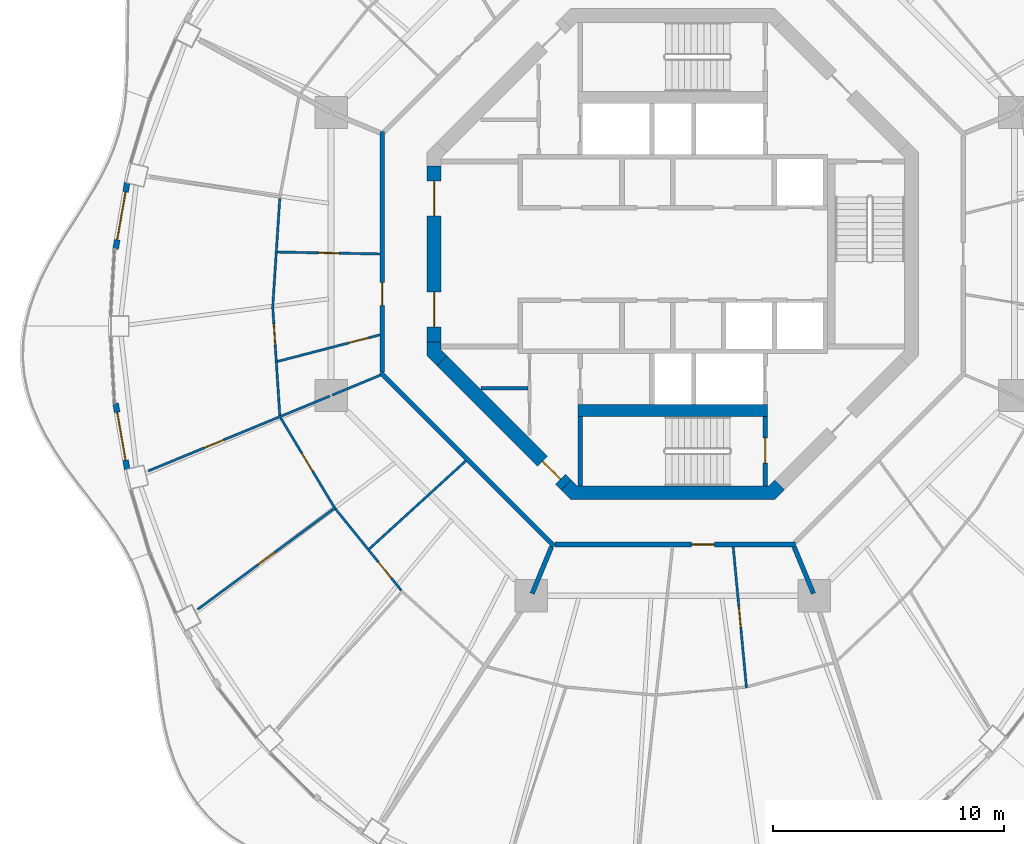
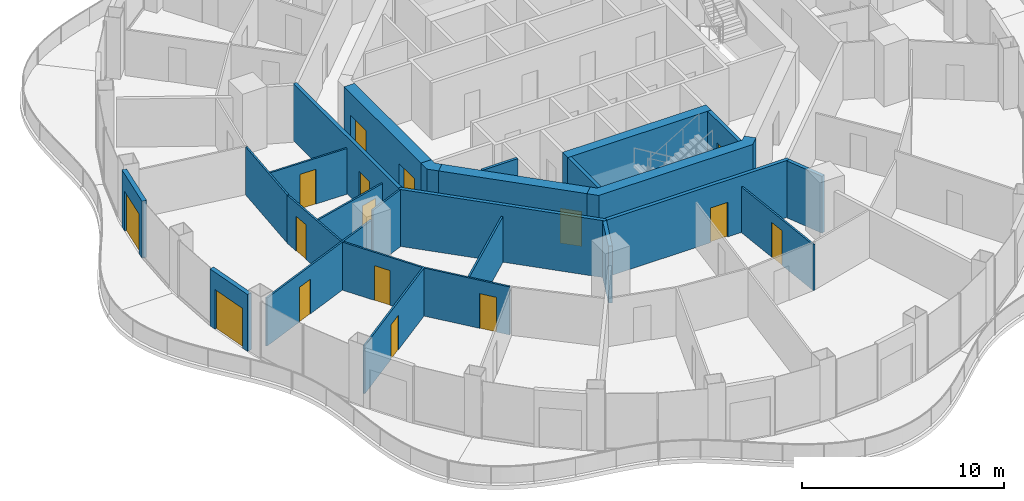
# One storey, part 10 of 17: 26 walls, 16 doors, 16 openings.
"""IFC4 building model written with IfcOpenShell, lengths in metres."""

from ifc_helpers import new_model, si_unit, direction, frame, frame_2d, origin, place, context, subcontext, project, spatial, polyline, rectangle, outline, extrude, material, layer, layer_set, type_object, element, fill, save


model = new_model("IFC4")

# Units and contexts
model_context = context("Model", 3, precision=1e-05, world=origin(), true_north=direction((0.0, 1.0)))
body_context = subcontext(model_context, "Body", "Model", "MODEL_VIEW")
ifc_project = project(units=[si_unit("LENGTHUNIT", "METRE"), si_unit("AREAUNIT", "SQUARE_METRE"), si_unit("VOLUMEUNIT", "CUBIC_METRE"), si_unit("PLANEANGLEUNIT", "RADIAN"), si_unit("MASSUNIT", "GRAM", prefix="KILO")], contexts=[model_context])

# Site, building, storey
site_placement = place(None, origin())
site = spatial("IfcSite", under=ifc_project, at=site_placement, CompositionType="ELEMENT")
building_placement = place(site_placement, origin())
building = spatial("IfcBuilding", under=site, at=building_placement, Name="Nagisa Residences", CompositionType="ELEMENT")
storey_placement = place(building_placement, frame((0.0, 0.0, 277.0)))
storey = spatial("IfcBuildingStorey", under=building, at=storey_placement, Name="L70", CompositionType="ELEMENT", Elevation=277.0)

# Walls
ifc_material_1 = material(Name="Gypsum board on steel studs", Category="steel")
ifc_layer_1 = layer(ifc_material_1, 0.199951171875)
ifc_layer_set_1 = layer_set([ifc_layer_1], Name="Apartment compartment wall EI60 200")
wall_type_1 = type_object("IfcWallType", Name="Apartment compartment wall EI60 200", PredefinedType="PARTITIONING", material=ifc_layer_set_1)
wall_1_placement = place(storey_placement, frame((-5.24267578125, -12.6572265625, 0.0), z_axis=(0.0, 0.0, 1.0), x_axis=(-0.382770106157, -0.923843626288, 0.0)))
element("IfcWall", 1, at=wall_1_placement, inside=storey, type_object=wall_type_1, Name="wall:L70:u06", PredefinedType="PARTITIONING", context=body_context, shape_type="SweptSolid", body=[
    extrude(rectangle(XDim=2.19921875, YDim=0.199951171875, at=frame_2d((1.099609375, 0.0))), origin(), (0.0, 0.0, 1.0), 3.43994140625),
])
wall_2_placement = place(storey_placement, frame((5.24267578125, -12.6572265625, 0.0), z_axis=(0.0, 0.0, 1.0), x_axis=(0.382707856524, -0.923869415315, 0.0)))
element("IfcWall", 2, at=wall_2_placement, inside=storey, type_object=wall_type_1, Name="wall:L70:u08", PredefinedType="PARTITIONING", context=body_context, shape_type="SweptSolid", body=[
    extrude(rectangle(XDim=2.2001953125, YDim=0.199951171875, at=frame_2d((1.10009765625, 0.0))), origin(), (0.0, 0.0, 1.0), 3.43994140625),
])

# Wall, opening, door
ifc_material_2 = material(Name="Gypsum board on steel studs", Category="steel")
ifc_layer_2 = layer(ifc_material_2, 0.199951171875)
ifc_layer_set_2 = layer_set([ifc_layer_2], Name="Apartment entry wall EI60 200")
wall_type_2 = type_object("IfcWallType", Name="Apartment entry wall EI60 200", PredefinedType="PARTITIONING", material=ifc_layer_set_2)
wall_3_placement = place(storey_placement, frame((-12.564697265625, 5.304443359375, 0.0), z_axis=(0.0, 0.0, 1.0), x_axis=(0.0, -1.0, 0.0)))
wall_3 = element("IfcWall", 3, at=wall_3_placement, inside=storey, type_object=wall_type_2, Name="wall:L70:u14", PredefinedType="PARTITIONING", context=body_context, shape_type="SweptSolid", body=[
    extrude(rectangle(XDim=10.408935546875, YDim=0.199951171875, at=frame_2d((5.20458984375, 0.0))), origin(), (0.0, 0.0, 1.0), 3.43994140625),
])
opening_1_placement = place(wall_3_placement, frame((6.539306640625, 0.0, 0.0)))
opening_1 = element("IfcOpeningElement", 4, at=opening_1_placement, cuts=wall_3, Name="Opening L70-U15", PredefinedType="OPENING", context=body_context, shape_type="SweptSolid", body=[
    extrude(rectangle(XDim=1.0, YDim=2.10009765625, at=frame_2d((0.5, 1.050048828125))), frame((0.0, 0.10986328125, 0.0), z_axis=(0.0, -1.0, 0.0), x_axis=(1.0, 0.0, 0.0)), (0.0, 0.0, 1.0), 0.219970703125),
])
ifc_material_3 = material(Name="Timber fire door set", Category="wood")
door_type_1 = type_object("IfcDoorType", Name="Apartment entry door FD30S 1000x2100", OperationType="NOTDEFINED", PredefinedType="DOOR", material=ifc_material_3)
door_1_placement = place(opening_1_placement, frame((1.0, 0.0, 0.0), x_axis=(-1.0, 0.0, 0.0)))
door_1 = element("IfcDoor", 5, at=door_1_placement, inside=storey, type_object=door_type_1, Name="Entry door, Apartment 70C", OperationType="SINGLE_SWING_RIGHT", OverallHeight=2.10009765625, OverallWidth=1.0, PredefinedType="DOOR", context=body_context, shape_type="SweptSolid", body=[
    extrude(rectangle(XDim=1.0, YDim=2.10009765625, at=frame_2d((0.5, 1.050048828125))), frame((0.0, 0.02490234375, 0.0), z_axis=(0.0, -1.0, 0.0), x_axis=(1.0, 0.0, 0.0)), (0.0, 0.0, 1.0), 0.050048828125),
])
fill(opening_1, door_1)

# Wall
wall_4_placement = place(storey_placement, frame((-12.635498046875, -5.1337890625, 0.0), z_axis=(0.0, 0.0, 1.0), x_axis=(0.707106781187, -0.707106781187, 0.0)))
element("IfcWall", 6, at=wall_4_placement, inside=storey, type_object=wall_type_2, Name="wall:L70:u15", PredefinedType="PARTITIONING", context=body_context, shape_type="SweptSolid", body=[
    extrude(rectangle(XDim=10.609130859375, YDim=0.199951171875, at=frame_2d((5.3046875, 0.0))), origin(), (0.0, 0.0, 1.0), 3.43994140625),
])

# Wall, opening, door
wall_5_placement = place(storey_placement, frame((-5.1044921875, -12.564697265625, 0.0), z_axis=(0.0, 0.0, 1.0), x_axis=(1.0, 0.0, 0.0)))
wall_5 = element("IfcWall", 7, at=wall_5_placement, inside=storey, type_object=wall_type_2, Name="wall:L70:u16", PredefinedType="PARTITIONING", context=body_context, shape_type="SweptSolid", body=[
    extrude(rectangle(XDim=10.408935546875, YDim=0.199951171875, at=frame_2d((5.20458984375, 0.0))), origin(), (0.0, 0.0, 1.0), 3.43994140625),
])
opening_2_placement = place(wall_5_placement, frame((5.905517578125, 0.0, 0.0)))
opening_2 = element("IfcOpeningElement", 8, at=opening_2_placement, cuts=wall_5, Name="Opening L70-U25", PredefinedType="OPENING", context=body_context, shape_type="SweptSolid", body=[
    extrude(rectangle(XDim=1.0, YDim=2.10009765625, at=frame_2d((0.5, 1.050048828125))), frame((0.0, 0.10986328125, 0.0), z_axis=(0.0, -1.0, 0.0), x_axis=(1.0, 0.0, 0.0)), (0.0, 0.0, 1.0), 0.219970703125),
])
door_2_placement = place(opening_2_placement, frame((1.0, 0.0, 0.0), x_axis=(-1.0, 0.0, 0.0)))
door_2 = element("IfcDoor", 9, at=door_2_placement, inside=storey, type_object=door_type_1, Name="Entry door, Apartment 70D", OperationType="SINGLE_SWING_RIGHT", OverallHeight=2.10009765625, OverallWidth=1.0, PredefinedType="DOOR", context=body_context, shape_type="SweptSolid", body=[
    extrude(rectangle(XDim=1.0, YDim=2.10009765625, at=frame_2d((0.5, 1.050048828125))), frame((0.0, 0.02490234375, 0.0), z_axis=(0.0, -1.0, 0.0), x_axis=(1.0, 0.0, 0.0)), (0.0, 0.0, 1.0), 0.050048828125),
])
fill(opening_2, door_2)

# Wall
ifc_material_4 = material(Name="Gypsum board on steel studs", Category="steel")
ifc_layer_3 = layer(ifc_material_4, 0.10009765625)
ifc_layer_set_3 = layer_set([ifc_layer_3], Name="Apartment partition 100")
wall_type_3 = type_object("IfcWallType", Name="Apartment partition 100", PredefinedType="PARTITIONING", material=ifc_layer_set_3)
wall_6_placement = place(storey_placement, frame((-17.001708984375, 2.40869140625, 0.0), z_axis=(0.0, 0.0, 1.0), x_axis=(-0.064855550758, -0.997894662545, 0.0)))
element("IfcWall", 10, at=wall_6_placement, inside=storey, type_object=wall_type_3, Name="wall:L70:u41", PredefinedType="PARTITIONING", context=body_context, shape_type="SweptSolid", body=[
    extrude(rectangle(XDim=4.656494140625, YDim=0.10009765625, at=frame_2d((2.328125, 0.0))), origin(), (0.0, 0.0, 1.0), 2.905029296875),
])

# Wall, opening, door
wall_7_placement = place(storey_placement, frame((-12.664794921875, 0.001953125, 0.0), z_axis=(0.0, 0.0, 1.0), x_axis=(-0.999827178165, 0.018590691287, 0.0)))
wall_7 = element("IfcWall", 11, at=wall_7_placement, inside=storey, type_object=wall_type_3, Name="wall:L70:u42", PredefinedType="PARTITIONING", context=body_context, shape_type="SweptSolid", body=[
    extrude(rectangle(XDim=4.438720703125, YDim=0.10009765625, at=frame_2d((2.21923828125, 0.0))), origin(), (0.0, 0.0, 1.0), 2.761962890625),
])
opening_3_placement = place(wall_7_placement, frame((1.769287109375, 0.0, 0.0)))
opening_3 = element("IfcOpeningElement", 12, at=opening_3_placement, cuts=wall_7, Name="Opening L70-U16", PredefinedType="OPENING", context=body_context, shape_type="SweptSolid", body=[
    extrude(rectangle(XDim=0.89990234375, YDim=2.10009765625, at=frame_2d((0.449951171875, 1.050048828125))), frame((0.0, 0.06005859375, 0.0), z_axis=(0.0, -1.0, 0.0), x_axis=(1.0, 0.0, 0.0)), (0.0, 0.0, 1.0), 0.1201171875),
])
ifc_material_5 = material(Name="Timber door set", Category="wood")
door_type_2 = type_object("IfcDoorType", Name="Apartment door 900x2100", OperationType="NOTDEFINED", PredefinedType="DOOR", material=ifc_material_5)
door_3_placement = place(opening_3_placement, frame((0.89990234375, 0.0, 0.0), x_axis=(-1.0, 0.0, 0.0)))
door_3 = element("IfcDoor", 13, at=door_3_placement, inside=storey, type_object=door_type_2, Name="Door to store, Apartment 70C", OperationType="SINGLE_SWING_LEFT", OverallHeight=2.10009765625, OverallWidth=0.89990234375, PredefinedType="DOOR", context=body_context, shape_type="SweptSolid", body=[
    extrude(rectangle(XDim=0.89990234375, YDim=2.10009765625, at=frame_2d((0.449951171875, 1.050048828125))), frame((0.0, 0.02490234375, 0.0), z_axis=(0.0, -1.0, 0.0), x_axis=(1.0, 0.0, 0.0)), (0.0, 0.0, 1.0), 0.050048828125),
])
fill(opening_3, door_3)

wall_8_placement = place(storey_placement, frame((-17.31005859375, -2.238037109375, 0.0), z_axis=(0.0, 0.0, 1.0), x_axis=(0.064949202176, -0.997888571503, 0.0)))
wall_8 = element("IfcWall", 14, at=wall_8_placement, inside=storey, type_object=wall_type_3, Name="wall:L70:u43", PredefinedType="PARTITIONING", context=body_context, shape_type="SweptSolid", body=[
    extrude(rectangle(XDim=4.7587890625, YDim=0.10009765625, at=frame_2d((2.37939453125, 0.0))), origin(), (0.0, 0.0, 1.0), 2.905029296875),
])
opening_4_placement = place(wall_8_placement, frame((0.789794921875, 0.0, 0.0)))
opening_4 = element("IfcOpeningElement", 15, at=opening_4_placement, cuts=wall_8, Name="Opening L70-U19", PredefinedType="OPENING", context=body_context, shape_type="SweptSolid", body=[
    extrude(rectangle(XDim=0.89990234375, YDim=2.10009765625, at=frame_2d((0.449951171875, 1.050048828125))), frame((0.0, 0.06005859375, 0.0), z_axis=(0.0, -1.0, 0.0), x_axis=(1.0, 0.0, 0.0)), (0.0, 0.0, 1.0), 0.1201171875),
])
door_4_placement = place(opening_4_placement, frame((0.89990234375, 0.0, 0.0), x_axis=(-1.0, 0.0, 0.0)))
door_4 = element("IfcDoor", 16, at=door_4_placement, inside=storey, type_object=door_type_2, Name="Door to living room, Apartment 70C", OperationType="SINGLE_SWING_RIGHT", OverallHeight=2.10009765625, OverallWidth=0.89990234375, PredefinedType="DOOR", context=body_context, shape_type="SweptSolid", body=[
    extrude(rectangle(XDim=0.89990234375, YDim=2.10009765625, at=frame_2d((0.449951171875, 1.050048828125))), frame((0.0, 0.02490234375, 0.0), z_axis=(0.0, -1.0, 0.0), x_axis=(1.0, 0.0, 0.0)), (0.0, 0.0, 1.0), 0.050048828125),
])
fill(opening_4, door_4)

wall_9_placement = place(storey_placement, frame((-12.66162109375, -3.494873046875, 0.0), z_axis=(0.0, 0.0, 1.0), x_axis=(-0.967834941053, -0.251586022817, 0.0)))
wall_9 = element("IfcWall", 17, at=wall_9_placement, inside=storey, type_object=wall_type_3, Name="wall:L70:u44", PredefinedType="PARTITIONING", context=body_context, shape_type="SweptSolid", body=[
    extrude(rectangle(XDim=4.590087890625, YDim=0.10009765625, at=frame_2d((2.294921875, 0.0))), origin(), (0.0, 0.0, 1.0), 2.761962890625),
])
opening_5_placement = place(wall_9_placement, frame((0.49951171875, 0.0, 0.0)))
opening_5 = element("IfcOpeningElement", 18, at=opening_5_placement, cuts=wall_9, Name="Opening L70-U17", PredefinedType="OPENING", context=body_context, shape_type="SweptSolid", body=[
    extrude(rectangle(XDim=0.89990234375, YDim=2.10009765625, at=frame_2d((0.449951171875, 1.050048828125))), frame((0.0, 0.06005859375, 0.0), z_axis=(0.0, -1.0, 0.0), x_axis=(1.0, 0.0, 0.0)), (0.0, 0.0, 1.0), 0.1201171875),
])
door_5_placement = place(opening_5_placement, origin())
door_5 = element("IfcDoor", 19, at=door_5_placement, inside=storey, type_object=door_type_2, Name="Door to family bathroom, Apartment 70C", OperationType="SINGLE_SWING_LEFT", OverallHeight=2.10009765625, OverallWidth=0.89990234375, PredefinedType="DOOR", context=body_context, shape_type="SweptSolid", body=[
    extrude(rectangle(XDim=0.89990234375, YDim=2.10009765625, at=frame_2d((0.449951171875, 1.050048828125))), frame((0.0, 0.02490234375, 0.0), z_axis=(0.0, -1.0, 0.0), x_axis=(1.0, 0.0, 0.0)), (0.0, 0.0, 1.0), 0.050048828125),
])
fill(opening_5, door_5)

# Wall
wall_10_placement = place(storey_placement, frame((-12.6572265625, -5.24267578125, 0.0), z_axis=(0.0, 0.0, 1.0), x_axis=(-0.923871314276, -0.382703272338, 0.0)))
element("IfcWall", 20, at=wall_10_placement, inside=storey, type_object=wall_type_3, Name="wall:L70:u45", PredefinedType="PARTITIONING", context=body_context, shape_type="SweptSolid", body=[
    extrude(rectangle(XDim=2.249267578125, YDim=0.10009765625, at=frame_2d((1.12451171875, 0.0))), origin(), (0.0, 0.0, 1.0), 3.43994140625),
])

# Wall, opening, door
wall_11_placement = place(storey_placement, frame((-14.828369140625, -6.14208984375, 0.0), z_axis=(0.0, 0.0, 1.0), x_axis=(-0.924478087429, -0.381235184451, 0.0)))
wall_11 = element("IfcWall", 21, at=wall_11_placement, inside=storey, type_object=wall_type_3, Name="wall:L70:u46", PredefinedType="PARTITIONING", context=body_context, shape_type="SweptSolid", body=[
    extrude(rectangle(XDim=8.499267578125, YDim=0.10009765625, at=frame_2d((4.24951171875, 0.0))), origin(), (0.0, 0.0, 1.0), 2.905029296875),
])
opening_6_placement = place(wall_11_placement, frame((4.97314453125, 0.0, 0.0)))
opening_6 = element("IfcOpeningElement", 22, at=opening_6_placement, cuts=wall_11, Name="Opening L70-U20", PredefinedType="OPENING", context=body_context, shape_type="SweptSolid", body=[
    extrude(rectangle(XDim=0.89990234375, YDim=2.10009765625, at=frame_2d((0.449951171875, 1.050048828125))), frame((0.0, 0.06005859375, 0.0), z_axis=(0.0, -1.0, 0.0), x_axis=(1.0, 0.0, 0.0)), (0.0, 0.0, 1.0), 0.1201171875),
])
door_6_placement = place(opening_6_placement, origin())
door_6 = element("IfcDoor", 23, at=door_6_placement, inside=storey, type_object=door_type_2, Name="Door to kitchen, Apartment 70C", OperationType="SINGLE_SWING_RIGHT", OverallHeight=2.10009765625, OverallWidth=0.89990234375, PredefinedType="DOOR", context=body_context, shape_type="SweptSolid", body=[
    extrude(rectangle(XDim=0.89990234375, YDim=2.10009765625, at=frame_2d((0.449951171875, 1.050048828125))), frame((0.0, 0.02490234375, 0.0), z_axis=(0.0, -1.0, 0.0), x_axis=(1.0, 0.0, 0.0)), (0.0, 0.0, 1.0), 0.050048828125),
])
fill(opening_6, door_6)

wall_12_placement = place(storey_placement, frame((-16.971923828125, -7.07958984375, 0.0), z_axis=(0.0, 0.0, 1.0), x_axis=(0.514989049311, -0.857196756346, 0.0)))
wall_12 = element("IfcWall", 24, at=wall_12_placement, inside=storey, type_object=wall_type_3, Name="wall:L70:u47", PredefinedType="PARTITIONING", context=body_context, shape_type="SweptSolid", body=[
    extrude(rectangle(XDim=4.51171875, YDim=0.10009765625, at=frame_2d((2.255859375, 0.0))), origin(), (0.0, 0.0, 1.0), 2.905029296875),
])
opening_7_placement = place(wall_12_placement, frame((1.805908203125, 0.0, 0.0)))
opening_7 = element("IfcOpeningElement", 25, at=opening_7_placement, cuts=wall_12, Name="Opening L70-U23", PredefinedType="OPENING", context=body_context, shape_type="SweptSolid", body=[
    extrude(rectangle(XDim=0.89990234375, YDim=2.10009765625, at=frame_2d((0.449951171875, 1.050048828125))), frame((0.0, 0.06005859375, 0.0), z_axis=(0.0, -1.0, 0.0), x_axis=(1.0, 0.0, 0.0)), (0.0, 0.0, 1.0), 0.1201171875),
])
door_7_placement = place(opening_7_placement, origin())
door_7 = element("IfcDoor", 26, at=door_7_placement, inside=storey, type_object=door_type_2, Name="Door to store, Apartment 70C", OperationType="SINGLE_SWING_LEFT", OverallHeight=2.10009765625, OverallWidth=0.89990234375, PredefinedType="DOOR", context=body_context, shape_type="SweptSolid", body=[
    extrude(rectangle(XDim=0.89990234375, YDim=2.10009765625, at=frame_2d((0.449951171875, 1.050048828125))), frame((0.0, 0.02490234375, 0.0), z_axis=(0.0, -1.0, 0.0), x_axis=(1.0, 0.0, 0.0)), (0.0, 0.0, 1.0), 0.050048828125),
])
fill(opening_7, door_7)

wall_13_placement = place(storey_placement, frame((-14.582275390625, -10.960205078125, 0.0), z_axis=(0.0, 0.0, 1.0), x_axis=(-0.804405200554, -0.594081032623, 0.0)))
wall_13 = element("IfcWall", 27, at=wall_13_placement, inside=storey, type_object=wall_type_3, Name="wall:L70:u48", PredefinedType="PARTITIONING", context=body_context, shape_type="SweptSolid", body=[
    extrude(rectangle(XDim=7.41845703125, YDim=0.10009765625, at=frame_2d((3.709228515625, 0.0))), origin(), (0.0, 0.0, 1.0), 2.905029296875),
])
opening_8_placement = place(wall_13_placement, frame((3.2841796875, 0.0, 0.0)))
opening_8 = element("IfcOpeningElement", 28, at=opening_8_placement, cuts=wall_13, Name="Opening L70-U21", PredefinedType="OPENING", context=body_context, shape_type="SweptSolid", body=[
    extrude(rectangle(XDim=0.89990234375, YDim=2.10009765625, at=frame_2d((0.449951171875, 1.050048828125))), frame((0.0, 0.06005859375, 0.0), z_axis=(0.0, -1.0, 0.0), x_axis=(1.0, 0.0, 0.0)), (0.0, 0.0, 1.0), 0.1201171875),
])
door_8_placement = place(opening_8_placement, origin())
door_8 = element("IfcDoor", 29, at=door_8_placement, inside=storey, type_object=door_type_2, Name="Door to family room, Apartment 70C", OperationType="SINGLE_SWING_LEFT", OverallHeight=2.10009765625, OverallWidth=0.89990234375, PredefinedType="DOOR", context=body_context, shape_type="SweptSolid", body=[
    extrude(rectangle(XDim=0.89990234375, YDim=2.10009765625, at=frame_2d((0.449951171875, 1.050048828125))), frame((0.0, 0.02490234375, 0.0), z_axis=(0.0, -1.0, 0.0), x_axis=(1.0, 0.0, 0.0)), (0.0, 0.0, 1.0), 0.050048828125),
])
fill(opening_8, door_8)

wall_14_placement = place(storey_placement, frame((-14.59130859375, -11.02880859375, 0.0), z_axis=(0.0, 0.0, 1.0), x_axis=(0.628170338674, -0.778075848237, 0.0)))
wall_14 = element("IfcWall", 30, at=wall_14_placement, inside=storey, type_object=wall_type_3, Name="wall:L70:u49", PredefinedType="PARTITIONING", context=body_context, shape_type="SweptSolid", body=[
    extrude(rectangle(XDim=4.532470703125, YDim=0.10009765625, at=frame_2d((2.26611328125, 0.0))), origin(), (0.0, 0.0, 1.0), 2.905029296875),
])
opening_9_placement = place(wall_14_placement, frame((2.94921875, 0.0, 0.0)))
opening_9 = element("IfcOpeningElement", 31, at=opening_9_placement, cuts=wall_14, Name="Opening L70-U24", PredefinedType="OPENING", context=body_context, shape_type="SweptSolid", body=[
    extrude(rectangle(XDim=0.89990234375, YDim=2.10009765625, at=frame_2d((0.449951171875, 1.050048828125))), frame((0.0, 0.06005859375, 0.0), z_axis=(0.0, -1.0, 0.0), x_axis=(1.0, 0.0, 0.0)), (0.0, 0.0, 1.0), 0.1201171875),
])
door_9_placement = place(opening_9_placement, origin())
door_9 = element("IfcDoor", 32, at=door_9_placement, inside=storey, type_object=door_type_2, Name="Door to laundry, Apartment 70C", OperationType="SINGLE_SWING_RIGHT", OverallHeight=2.10009765625, OverallWidth=0.89990234375, PredefinedType="DOOR", context=body_context, shape_type="SweptSolid", body=[
    extrude(rectangle(XDim=0.89990234375, YDim=2.10009765625, at=frame_2d((0.449951171875, 1.050048828125))), frame((0.0, 0.02490234375, 0.0), z_axis=(0.0, -1.0, 0.0), x_axis=(1.0, 0.0, 0.0)), (0.0, 0.0, 1.0), 0.050048828125),
])
fill(opening_9, door_9)

# Wall
wall_15_placement = place(storey_placement, frame((-8.95849609375, -8.9521484375, 0.0), z_axis=(0.0, 0.0, 1.0), x_axis=(-0.73876526954, -0.673962815385, 0.0)))
element("IfcWall", 33, at=wall_15_placement, inside=storey, type_object=wall_type_3, Name="wall:L70:u50", PredefinedType="PARTITIONING", context=body_context, shape_type="SweptSolid", body=[
    extrude(rectangle(XDim=5.6474609375, YDim=0.10009765625, at=frame_2d((2.82373046875, 0.0))), origin(), (0.0, 0.0, 1.0), 2.761962890625),
])

# Wall, opening, door
wall_16_placement = place(storey_placement, frame((2.611572265625, -12.664306640625, 0.0), z_axis=(0.0, 0.0, 1.0), x_axis=(0.093781393779, -0.995592813444, 0.0)))
wall_16 = element("IfcWall", 34, at=wall_16_placement, inside=storey, type_object=wall_type_3, Name="wall:L70:u58", PredefinedType="PARTITIONING", context=body_context, shape_type="SweptSolid", body=[
    extrude(rectangle(XDim=6.143798828125, YDim=0.10009765625, at=frame_2d((3.07177734375, 0.0))), origin(), (0.0, 0.0, 1.0), 2.761962890625),
])
opening_10_placement = place(wall_16_placement, frame((2.5966796875, 0.0, 0.0)))
opening_10 = element("IfcOpeningElement", 35, at=opening_10_placement, cuts=wall_16, Name="Opening L70-U27", PredefinedType="OPENING", context=body_context, shape_type="SweptSolid", body=[
    extrude(rectangle(XDim=0.89990234375, YDim=2.10009765625, at=frame_2d((0.449951171875, 1.050048828125))), frame((0.0, 0.06005859375, 0.0), z_axis=(0.0, -1.0, 0.0), x_axis=(1.0, 0.0, 0.0)), (0.0, 0.0, 1.0), 0.1201171875),
])
door_10_placement = place(opening_10_placement, origin())
door_10 = element("IfcDoor", 36, at=door_10_placement, inside=storey, type_object=door_type_2, Name="Door to family bathroom, Apartment 70D", OperationType="SINGLE_SWING_LEFT", OverallHeight=2.10009765625, OverallWidth=0.89990234375, PredefinedType="DOOR", context=body_context, shape_type="SweptSolid", body=[
    extrude(rectangle(XDim=0.89990234375, YDim=2.10009765625, at=frame_2d((0.449951171875, 1.050048828125))), frame((0.0, 0.02490234375, 0.0), z_axis=(0.0, -1.0, 0.0), x_axis=(1.0, 0.0, 0.0)), (0.0, 0.0, 1.0), 0.050048828125),
])
fill(opening_10, door_10)

ifc_material_6 = material(Name="Precast concrete C40/50", Category="concrete")
ifc_layer_4 = layer(ifc_material_6, 0.25)
ifc_layer_set_4 = layer_set([ifc_layer_4], Name="BALCONY DOOR WALL 250")
wall_type_4 = type_object("IfcWallType", Name="BALCONY DOOR WALL 250", PredefinedType="SOLIDWALL", material=ifc_layer_set_4)
wall_17_placement = place(storey_placement, frame((-24.103271484375, 0.220458984375, 0.0), z_axis=(0.0, 0.0, 1.0), x_axis=(0.172182411767, 0.985065082661, 0.0)))
wall_17 = element("IfcWall", 37, at=wall_17_placement, inside=storey, type_object=wall_type_4, Name="wall:L70:bay22", PredefinedType="SOLIDWALL", context=body_context, shape_type="SweptSolid", body=[
    extrude(rectangle(XDim=2.902587890625, YDim=0.25, at=frame_2d((1.451171875, 0.0))), origin(), (0.0, 0.0, 1.0), 3.43994140625),
])
opening_11_placement = place(wall_17_placement, frame((0.401123046875, 0.0, 0.0)))
opening_11 = element("IfcOpeningElement", 38, at=opening_11_placement, cuts=wall_17, Name="Opening BD-L70-08", PredefinedType="OPENING", context=body_context, shape_type="SweptSolid", body=[
    extrude(rectangle(XDim=2.10009765625, YDim=2.39990234375, at=frame_2d((1.050048828125, 1.199951171875))), frame((0.0, 0.135009765625, 0.0), z_axis=(0.0, -1.0, 0.0), x_axis=(1.0, 0.0, 0.0)), (0.0, 0.0, 1.0), 0.27001953125),
])
ifc_material_7 = material(Name="Aluminium and clear glass", Category="aluminium")
door_type_3 = type_object("IfcDoorType", Name="BALCONY SLIDING DOOR 2100x2400", OperationType="SLIDING_TO_LEFT", PredefinedType="DOOR", material=ifc_material_7)
door_11_placement = place(opening_11_placement, origin())
door_11 = element("IfcDoor", 39, at=door_11_placement, inside=storey, type_object=door_type_3, Name="door:L70:bay22", OperationType="SLIDING_TO_LEFT", OverallHeight=2.39990234375, OverallWidth=2.10009765625, PredefinedType="DOOR", context=body_context, shape_type="SweptSolid", body=[
    extrude(rectangle(XDim=2.10009765625, YDim=2.39990234375, at=frame_2d((1.050048828125, 1.199951171875))), frame((0.0, 0.02490234375, 0.0), z_axis=(0.0, -1.0, 0.0), x_axis=(1.0, 0.0, 0.0)), (0.0, 0.0, 1.0), 0.050048828125),
])
fill(opening_11, door_11)

wall_18_placement = place(storey_placement, frame((-23.603515625, -9.31494140625, 0.0), z_axis=(0.0, 0.0, 1.0), x_axis=(-0.172182411767, 0.985065082661, 0.0)))
wall_18 = element("IfcWall", 40, at=wall_18_placement, inside=storey, type_object=wall_type_4, Name="wall:L70:bay25", PredefinedType="SOLIDWALL", context=body_context, shape_type="SweptSolid", body=[
    extrude(rectangle(XDim=2.902587890625, YDim=0.25, at=frame_2d((1.451171875, 0.0))), origin(), (0.0, 0.0, 1.0), 3.43994140625),
])
opening_12_placement = place(wall_18_placement, frame((0.401123046875, 0.0, 0.0)))
opening_12 = element("IfcOpeningElement", 41, at=opening_12_placement, cuts=wall_18, Name="Opening BD-L70-09", PredefinedType="OPENING", context=body_context, shape_type="SweptSolid", body=[
    extrude(rectangle(XDim=2.10009765625, YDim=2.39990234375, at=frame_2d((1.050048828125, 1.199951171875))), frame((0.0, 0.135009765625, 0.0), z_axis=(0.0, -1.0, 0.0), x_axis=(1.0, 0.0, 0.0)), (0.0, 0.0, 1.0), 0.27001953125),
])
door_12_placement = place(opening_12_placement, origin())
door_12 = element("IfcDoor", 42, at=door_12_placement, inside=storey, type_object=door_type_3, Name="door:L70:bay25", OperationType="SLIDING_TO_LEFT", OverallHeight=2.39990234375, OverallWidth=2.10009765625, PredefinedType="DOOR", context=body_context, shape_type="SweptSolid", body=[
    extrude(rectangle(XDim=2.10009765625, YDim=2.39990234375, at=frame_2d((1.050048828125, 1.199951171875))), frame((0.0, 0.02490234375, 0.0), z_axis=(0.0, -1.0, 0.0), x_axis=(1.0, 0.0, 0.0)), (0.0, 0.0, 1.0), 0.050048828125),
])
fill(opening_12, door_12)

# Wall
ifc_material_8 = material(Name="Gypsum board on steel studs", Category="steel")
ifc_layer_5 = layer(ifc_material_8, 0.14990234375)
ifc_layer_set_5 = layer_set([ifc_layer_5], Name="Core partition 150")
wall_type_5 = type_object("IfcWallType", Name="Core partition 150", PredefinedType="PARTITIONING", material=ifc_layer_set_5)
wall_19_placement = place(storey_placement, frame((-8.301025390625, -5.800048828125, 0.0), z_axis=(0.0, 0.0, 1.0), x_axis=(1.0, 0.0, 0.0)))
element("IfcWall", 43, at=wall_19_placement, inside=storey, type_object=wall_type_5, Name="wall:L70:SWq", PredefinedType="PARTITIONING", context=body_context, shape_type="SweptSolid", body=[
    extrude(rectangle(XDim=2.026123046875, YDim=0.14990234375, at=frame_2d((1.01318359375, 0.0))), origin(), (0.0, 0.0, 1.0), 3.43994140625),
])

# Wall, openings, doors
ifc_material_9 = material(Name="Concrete C60", Category="concrete")
ifc_layer_6 = layer(ifc_material_9, 0.60009765625)
ifc_layer_set_6 = layer_set([ifc_layer_6], Name="Core shear wall 600")
wall_type_6 = type_object("IfcWallType", Name="Core shear wall 600", PredefinedType="SHEAR", material=ifc_layer_set_6)
wall_20_placement = place(storey_placement, frame((-10.32470703125, 3.80078125, 0.0), z_axis=(0.0, 0.0, 1.0), x_axis=(0.0, -1.0, 0.0)))
wall_20 = element("IfcWall", 44, at=wall_20_placement, inside=storey, type_object=wall_type_6, Name="wall:L70:core:flat4", PredefinedType="SHEAR", context=body_context, shape_type="SweptSolid", body=[
    extrude(rectangle(XDim=7.6015625, YDim=0.60009765625, at=frame_2d((3.80078125, 0.0))), origin(), (0.0, 0.0, 1.0), 3.43994140625),
])
opening_13_placement = place(wall_20_placement, frame((0.65087890625, 0.0, 0.0)))
opening_13 = element("IfcOpeningElement", 45, at=opening_13_placement, cuts=wall_20, Name="Opening L70-C23", PredefinedType="OPENING", context=body_context, shape_type="SweptSolid", body=[
    extrude(rectangle(XDim=1.5, YDim=2.10009765625, at=frame_2d((0.75, 1.050048828125))), frame((0.0, 0.31005859375, 0.0), z_axis=(0.0, -1.0, 0.0), x_axis=(1.0, 0.0, 0.0)), (0.0, 0.0, 1.0), 0.6201171875),
])
opening_14_placement = place(wall_20_placement, frame((5.450927734375, 0.0, 0.0)))
opening_14 = element("IfcOpeningElement", 46, at=opening_14_placement, cuts=wall_20, Name="Opening L70-C24", PredefinedType="OPENING", context=body_context, shape_type="SweptSolid", body=[
    extrude(rectangle(XDim=1.5, YDim=2.10009765625, at=frame_2d((0.75, 1.050048828125))), frame((0.0, 0.31005859375, 0.0), z_axis=(0.0, -1.0, 0.0), x_axis=(1.0, 0.0, 0.0)), (0.0, 0.0, 1.0), 0.6201171875),
])
ifc_material_10 = material(Name="Steel fire door", Category="steel")
door_type_4 = type_object("IfcDoorType", Name="Fire door EI60 1500x2100 double door single swing", OperationType="DOUBLE_DOOR_SINGLE_SWING", PredefinedType="DOOR", material=ifc_material_10)
door_13_placement = place(opening_13_placement, origin())
door_13 = element("IfcDoor", 47, at=door_13_placement, inside=storey, type_object=door_type_4, Name="Lift lobby door L70 1", OperationType="DOUBLE_DOOR_SINGLE_SWING", OverallHeight=2.10009765625, OverallWidth=1.5, PredefinedType="DOOR", context=body_context, shape_type="SweptSolid", body=[
    extrude(rectangle(XDim=1.5, YDim=2.10009765625, at=frame_2d((0.75, 1.050048828125))), frame((0.0, 0.02490234375, 0.0), z_axis=(0.0, -1.0, 0.0), x_axis=(1.0, 0.0, 0.0)), (0.0, 0.0, 1.0), 0.050048828125),
])
fill(opening_13, door_13)
door_14_placement = place(opening_14_placement, origin())
door_14 = element("IfcDoor", 48, at=door_14_placement, inside=storey, type_object=door_type_4, Name="Lift lobby door L70 2", OperationType="DOUBLE_DOOR_SINGLE_SWING", OverallHeight=2.10009765625, OverallWidth=1.5, PredefinedType="DOOR", context=body_context, shape_type="SweptSolid", body=[
    extrude(rectangle(XDim=1.5, YDim=2.10009765625, at=frame_2d((0.75, 1.050048828125))), frame((0.0, 0.02490234375, 0.0), z_axis=(0.0, -1.0, 0.0), x_axis=(1.0, 0.0, 0.0)), (0.0, 0.0, 1.0), 0.050048828125),
])
fill(opening_14, door_14)

# Wall, opening, door
wall_21_placement = place(storey_placement, frame((-9.98828125, -4.613037109375, 0.0), z_axis=(0.0, 0.0, 1.0), x_axis=(0.707106781187, -0.707106781187, 0.0)))
wall_21 = element("IfcWall", 49, at=wall_21_placement, inside=storey, type_object=wall_type_6, Name="wall:L70:core:flat5", PredefinedType="SHEAR", context=body_context, shape_type="SweptSolid", body=[
    extrude(rectangle(XDim=7.601806640625, YDim=0.60009765625, at=frame_2d((3.80078125, 0.0))), origin(), (0.0, 0.0, 1.0), 3.43994140625),
])
opening_15_placement = place(wall_21_placement, frame((6.15087890625, 0.0, 0.0)))
opening_15 = element("IfcOpeningElement", 50, at=opening_15_placement, cuts=wall_21, Name="Opening L70-C26", PredefinedType="OPENING", context=body_context, shape_type="SweptSolid", body=[
    extrude(rectangle(XDim=1.10009765625, YDim=2.10009765625, at=frame_2d((0.550048828125, 1.050048828125))), frame((0.0, 0.31005859375, 0.0), z_axis=(0.0, -1.0, 0.0), x_axis=(1.0, 0.0, 0.0)), (0.0, 0.0, 1.0), 0.6201171875),
])
ifc_material_11 = material(Name="Steel fire door", Category="steel")
door_type_5 = type_object("IfcDoorType", Name="Fire door EI60 1100x2100 single swing", OperationType="NOTDEFINED", PredefinedType="DOOR", material=ifc_material_11)
door_15_placement = place(opening_15_placement, origin())
door_15 = element("IfcDoor", 51, at=door_15_placement, inside=storey, type_object=door_type_5, Name="Housekeeping lobby door L70", OperationType="SINGLE_SWING_RIGHT", OverallHeight=2.10009765625, OverallWidth=1.10009765625, PredefinedType="DOOR", context=body_context, shape_type="SweptSolid", body=[
    extrude(rectangle(XDim=1.10009765625, YDim=2.10009765625, at=frame_2d((0.550048828125, 1.050048828125))), frame((0.0, 0.02490234375, 0.0), z_axis=(0.0, -1.0, 0.0), x_axis=(1.0, 0.0, 0.0)), (0.0, 0.0, 1.0), 0.050048828125),
])
fill(opening_15, door_15)

# Walls
wall_22_placement = place(storey_placement, origin())
element("IfcWall", 52, at=wall_22_placement, inside=storey, type_object=wall_type_6, Name="wall:L70:core:pier4", PredefinedType="SHEAR", context=body_context, shape_type="SweptSolid", body=[
    extrude(outline(polyline([(-10.62451171875, -3.80078125), (-10.024658203125, -3.80078125), (-10.024658203125, -4.15234375), (-9.776123046875, -4.40087890625), (-10.200439453125, -4.8251953125), (-10.62451171875, -4.40087890625), (-10.62451171875, -3.80078125)])), origin(), (0.0, 0.0, 1.0), 3.43994140625),
])
wall_23_placement = place(storey_placement, origin())
element("IfcWall", 53, at=wall_23_placement, inside=storey, type_object=wall_type_6, Name="wall:L70:core:flat6", PredefinedType="SHEAR", context=body_context, shape_type="SweptSolid", body=[
    extrude(outline(polyline([(-4.15234375, -10.024658203125), (4.15234375, -10.024658203125), (4.40087890625, -9.776123046875), (4.8251953125, -10.200439453125), (4.40087890625, -10.62451171875), (-4.40087890625, -10.62451171875), (-4.8251953125, -10.200439453125), (-4.40087890625, -9.776123046875), (-4.15234375, -10.024658203125)])), origin(), (0.0, 0.0, 1.0), 3.43994140625),
])

# Wall, opening, door
ifc_material_12 = material(Name="Concrete C60", Category="concrete")
ifc_layer_7 = layer(ifc_material_12, 0.199951171875)
ifc_layer_set_7 = layer_set([ifc_layer_7], Name="Stair enclosure wall 200")
wall_type_7 = type_object("IfcWallType", Name="Stair enclosure wall 200", PredefinedType="SOLIDWALL", material=ifc_layer_set_7)
wall_24_placement = place(storey_placement, frame((4.0, -10.024658203125, 0.0), z_axis=(0.0, 0.0, 1.0), x_axis=(0.0, 1.0, 0.0)))
wall_24 = element("IfcWall", 54, at=wall_24_placement, inside=storey, type_object=wall_type_7, Name="wall:L70:SS_e", PredefinedType="SOLIDWALL", context=body_context, shape_type="SweptSolid", body=[
    extrude(rectangle(XDim=3.0, YDim=0.199951171875, at=frame_2d((1.5, 0.0))), origin(), (0.0, 0.0, 1.0), 3.43994140625),
])
opening_16_placement = place(wall_24_placement, frame((0.974609375, 0.0, 0.0)))
opening_16 = element("IfcOpeningElement", 55, at=opening_16_placement, cuts=wall_24, Name="Opening L70-C09", PredefinedType="OPENING", context=body_context, shape_type="SweptSolid", body=[
    extrude(rectangle(XDim=1.10009765625, YDim=2.10009765625, at=frame_2d((0.550048828125, 1.050048828125))), frame((0.0, 0.10986328125, 0.0), z_axis=(0.0, -1.0, 0.0), x_axis=(1.0, 0.0, 0.0)), (0.0, 0.0, 1.0), 0.219970703125),
])
ifc_material_13 = material(Name="Steel fire door", Category="steel")
door_type_6 = type_object("IfcDoorType", Name="Fire door EI90 1100x2100 single swing", OperationType="NOTDEFINED", PredefinedType="DOOR", material=ifc_material_13)
door_16_placement = place(opening_16_placement, origin())
door_16 = element("IfcDoor", 56, at=door_16_placement, inside=storey, type_object=door_type_6, Name="Stair door ST-S L70", OperationType="SINGLE_SWING_RIGHT", OverallHeight=2.10009765625, OverallWidth=1.10009765625, PredefinedType="DOOR", context=body_context, shape_type="SweptSolid", body=[
    extrude(rectangle(XDim=1.10009765625, YDim=2.10009765625, at=frame_2d((0.550048828125, 1.050048828125))), frame((0.0, 0.02490234375, 0.0), z_axis=(0.0, -1.0, 0.0), x_axis=(1.0, 0.0, 0.0)), (0.0, 0.0, 1.0), 0.050048828125),
])
fill(opening_16, door_16)

# Walls
wall_25_placement = place(storey_placement, origin())
element("IfcWall", 57, at=wall_25_placement, inside=storey, type_object=wall_type_7, Name="wall:L70:SS_w", PredefinedType="SOLIDWALL", context=body_context, shape_type="SweptSolid", body=[
    extrude(outline(polyline([(-3.89990234375, -10.024658203125), (-4.10009765625, -10.024658203125), (-4.10009765625, -7.024658203125), (-3.89990234375, -7.024658203125), (-3.89990234375, -10.024658203125)])), origin(), (0.0, 0.0, 1.0), 3.43994140625),
])
wall_26_placement = place(storey_placement, origin())
element("IfcWall", 58, at=wall_26_placement, inside=storey, type_object=wall_type_7, Name="wall:L70:SS_n", PredefinedType="SOLIDWALL", context=body_context, shape_type="SweptSolid", body=[
    extrude(outline(polyline([(4.10009765625, -7.024658203125), (-4.10009765625, -7.024658203125), (-4.10009765625, -6.5), (4.10009765625, -6.5), (4.10009765625, -7.024658203125)])), origin(), (0.0, 0.0, 1.0), 3.43994140625),
])

save(model, "model.ifc")
